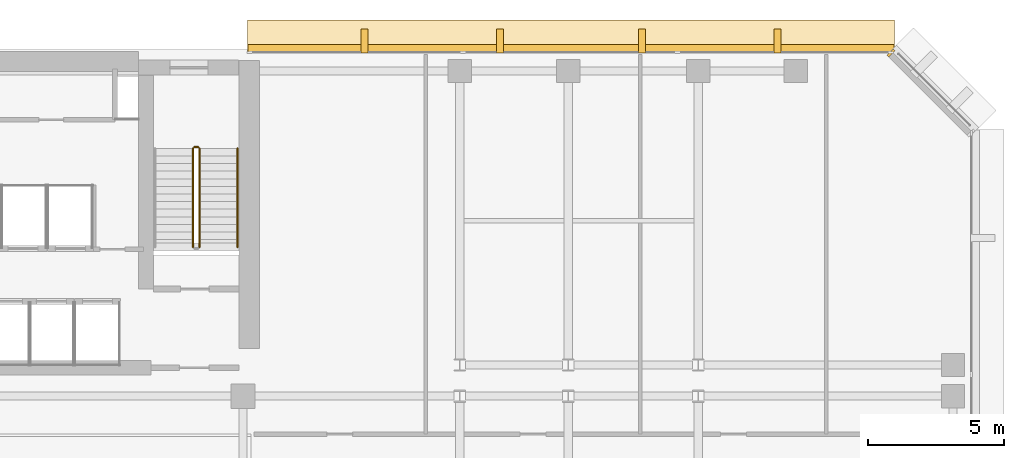
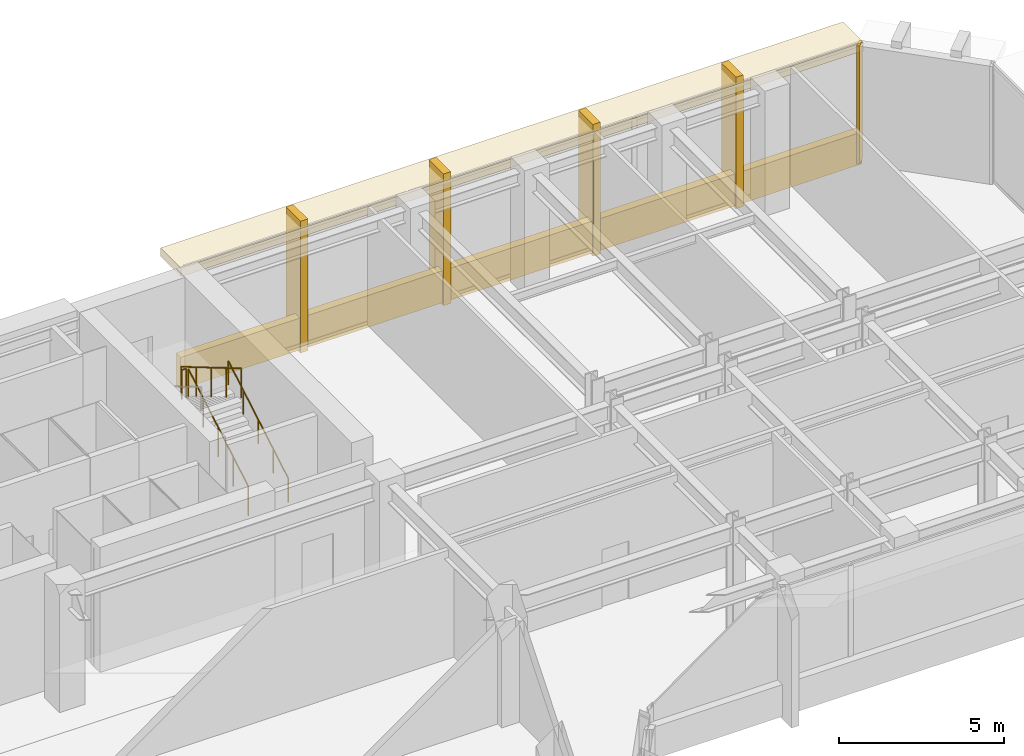
# One storey, part 12 of 13: 7 coverings, 4 railings.
"""IFC4 building model written with IfcOpenShell, lengths in metres."""

from ifc_helpers import new_model, si_unit, direction, frame, origin, origin_2d, place, context, subcontext, project, spatial, rectangle, circle, extrude, material, layer, layer_set, type_object, element, save


model = new_model("IFC4")

# Units and contexts
model_context = context("Model", 3, precision=1e-05, world=origin(), true_north=direction((0.0, 1.0)))
body_context = subcontext(model_context, "Body", "Model", "MODEL_VIEW")
ifc_project = project(units=[si_unit("LENGTHUNIT", "METRE"), si_unit("AREAUNIT", "SQUARE_METRE"), si_unit("VOLUMEUNIT", "CUBIC_METRE"), si_unit("PLANEANGLEUNIT", "RADIAN"), si_unit("MASSUNIT", "GRAM", prefix="KILO")], contexts=[model_context])

# Site, building, storey
site_placement = place(None, origin())
site = spatial("IfcSite", under=ifc_project, at=site_placement, CompositionType="ELEMENT")
building_placement = place(site_placement, origin())
building = spatial("IfcBuilding", under=site, at=building_placement, Name="Kefirva Bronze Tower", CompositionType="ELEMENT")
storey_placement = place(building_placement, frame((0.0, 0.0, 130.35009765625)))
storey = spatial("IfcBuildingStorey", under=building, at=storey_placement, Name="L31", CompositionType="ELEMENT", Elevation=130.35009765625)

# Coverings
ifc_material_1 = material(Name="Bronze anodised aluminium", Category="aluminium")
ifc_layer_1 = layer(ifc_material_1, 0.02001953125, Name="Bronze anodised aluminium")
ifc_layer_set_1 = layer_set([ifc_layer_1], Name="Bronze anodised aluminium")
covering_type_1 = type_object("IfcCoveringType", Name="Anodised Bronze Spandrel Cladding 20mm", PredefinedType="CLADDING", material=ifc_layer_set_1)
covering_1_placement = place(storey_placement, frame((47.11181640625, 45.862060546875, -0.000244140625), z_axis=(0.0, 0.0, 1.0), x_axis=(-0.707106781187, 0.707106781187, 0.0)))
element("IfcCovering", 1, at=covering_1_placement, inside=storey, type_object=covering_type_1, Name="L31 Facade Joint Closure Panel 7E", PredefinedType="CLADDING", context=body_context, shape_type="SweptSolid", body=[
    extrude(rectangle(XDim=0.10009765625, YDim=0.320068359375, at=origin_2d()), origin(), (0.0, 0.0, 1.0), 4.3701171875),
])
covering_2_placement = place(storey_placement, frame((35.302490234375, 46.0400390625, -0.16015625), z_axis=(0.0, 0.0, 1.0), x_axis=(-1.0, 0.0, 0.0)))
element("IfcCovering", 2, at=covering_2_placement, inside=storey, type_object=covering_type_1, Name="L31 Streamline Horizontal Spandrel Band 12", PredefinedType="CLADDING", context=body_context, shape_type="SweptSolid", body=[
    extrude(rectangle(XDim=23.8349609375, YDim=0.280029296875, at=origin_2d()), origin(), (0.0, 0.0, 1.0), 1.179931640625),
])

# Railings
ifc_material_2 = material(Name="Stainless steel 316", Category="steel")
railing_type_1 = type_object("IfcRailingType", Name="Interior Stair Guardrail 1100mm", PredefinedType="GUARDRAIL", material=ifc_material_2)
railing_1_placement = place(storey_placement, frame((21.60009765625, 38.699951171875, 0.164794921875)))
element("IfcRailing", 3, at=railing_1_placement, inside=storey, type_object=railing_type_1, Name="L31 ST-2 stair guard 1", PredefinedType="GUARDRAIL", context=body_context, shape_type="SweptSolid", body=[
    extrude(circle(Radius=0.02392578125, at=origin_2d()), frame((0.0, 0.0, 1.076171875), z_axis=(0.0, 0.861544779993, 0.507681585313), x_axis=(-1.0, 0.0, 0.0)), (0.0, 0.0, 1.0), 4.22509765625),
    extrude(circle(Radius=0.02099609375, at=origin_2d()), origin(), (0.0, 0.0, 1.0), 1.052001953125),
    extrude(circle(Radius=0.02099609375, at=origin_2d()), frame((0.0, 0.91015625, 0.5361328125)), (0.0, 0.0, 1.0), 1.052001953125),
    extrude(circle(Radius=0.02099609375, at=origin_2d()), frame((0.0, 1.820068359375, 1.072509765625)), (0.0, 0.0, 1.0), 1.052001953125),
    extrude(circle(Radius=0.02099609375, at=origin_2d()), frame((0.0, 2.72998046875, 1.60888671875)), (0.0, 0.0, 1.0), 1.052001953125),
    extrude(circle(Radius=0.02099609375, at=origin_2d()), frame((0.0, 3.64013671875, 2.14501953125)), (0.0, 0.0, 1.0), 1.052001953125),
])
railing_2_placement = place(storey_placement, frame((21.550048828125, 42.389892578125, 2.309814453125)))
element("IfcRailing", 4, at=railing_2_placement, inside=storey, type_object=railing_type_1, Name="L31 ST-2 stair guard 2", PredefinedType="GUARDRAIL", context=body_context, shape_type="SweptSolid", body=[
    extrude(circle(Radius=0.02392578125, at=origin_2d()), frame((0.0, 0.0, 1.076171875), z_axis=(-1.0, 0.0, 0.0), x_axis=(0.0, -1.0, 0.0)), (0.0, 0.0, 1.0), 0.150146484375),
    extrude(circle(Radius=0.02099609375, at=origin_2d()), origin(), (0.0, 0.0, 1.0), 1.052001953125),
    extrude(circle(Radius=0.02099609375, at=origin_2d()), frame((-0.150146484375, 0.0, 0.0)), (0.0, 0.0, 1.0), 1.052001953125),
])
railing_3_placement = place(storey_placement, frame((21.35009765625, 42.340087890625, 2.474853515625)))
element("IfcRailing", 5, at=railing_3_placement, inside=storey, type_object=railing_type_1, Name="L31 ST-2 stair guard 3", PredefinedType="GUARDRAIL", context=body_context, shape_type="SweptSolid", body=[
    extrude(circle(Radius=0.02392578125, at=origin_2d()), frame((0.0, 0.0, 1.076171875), z_axis=(0.0, -0.861544779993, 0.507681585313), x_axis=(1.0, 0.0, 0.0)), (0.0, 0.0, 1.0), 4.22509765625),
    extrude(circle(Radius=0.02099609375, at=origin_2d()), origin(), (0.0, 0.0, 1.0), 1.052001953125),
    extrude(circle(Radius=0.02099609375, at=origin_2d()), frame((0.0, -0.91015625, 0.5361328125)), (0.0, 0.0, 1.0), 1.052001953125),
    extrude(circle(Radius=0.02099609375, at=origin_2d()), frame((0.0, -1.820068359375, 1.072509765625)), (0.0, 0.0, 1.0), 1.052001953125),
    extrude(circle(Radius=0.02099609375, at=origin_2d()), frame((0.0, -2.72998046875, 1.60888671875)), (0.0, 0.0, 1.0), 1.052001953125),
    extrude(circle(Radius=0.02099609375, at=origin_2d()), frame((0.0, -3.64013671875, 2.14501953125)), (0.0, 0.0, 1.0), 1.052001953125),
])
railing_type_2 = type_object("IfcRailingType", Name="Stair Pitch Handrail 900mm", PredefinedType="HANDRAIL", material=ifc_material_2)
railing_4_placement = place(storey_placement, frame((23.0, 38.699951171875, 0.164794921875)))
element("IfcRailing", 6, at=railing_4_placement, inside=storey, type_object=railing_type_2, Name="L31 ST-2 stair handrail 1", PredefinedType="HANDRAIL", context=body_context, shape_type="SweptSolid", body=[
    extrude(circle(Radius=0.02392578125, at=origin_2d()), frame((0.0, 0.0, 0.8759765625), z_axis=(0.0, 0.861544779993, 0.507681585313), x_axis=(-1.0, 0.0, 0.0)), (0.0, 0.0, 1.0), 4.22509765625),
    extrude(circle(Radius=0.02099609375, at=origin_2d()), origin(), (0.0, 0.0, 1.0), 0.851806640625),
    extrude(circle(Radius=0.02099609375, at=origin_2d()), frame((0.0, 0.91015625, 0.5361328125)), (0.0, 0.0, 1.0), 0.851806640625),
    extrude(circle(Radius=0.02099609375, at=origin_2d()), frame((0.0, 1.820068359375, 1.072509765625)), (0.0, 0.0, 1.0), 0.851806640625),
    extrude(circle(Radius=0.02099609375, at=origin_2d()), frame((0.0, 2.72998046875, 1.60888671875)), (0.0, 0.0, 1.0), 0.851806640625),
    extrude(circle(Radius=0.02099609375, at=origin_2d()), frame((0.0, 3.64013671875, 2.14501953125)), (0.0, 0.0, 1.0), 0.851806640625),
])

# Coverings
ifc_layer_2 = layer(ifc_material_1, 0.179931640625, Name="Bronze anodised aluminium")
ifc_layer_set_2 = layer_set([ifc_layer_2], Name="Bronze anodised aluminium")
covering_type_2 = type_object("IfcCoveringType", Name="Streamline Bronze Sunshade Eyebrow Cladding 180mm", PredefinedType="CLADDING", material=ifc_layer_set_2)
covering_3_placement = place(storey_placement, frame((35.302490234375, 46.4599609375, 4.0498046875), z_axis=(0.0, 0.0, 1.0), x_axis=(-1.0, 0.0, 0.0)))
element("IfcCovering", 7, at=covering_3_placement, inside=storey, type_object=covering_type_2, Name="L31 Streamline Bronze Sunshade Eyebrow 12", PredefinedType="CLADDING", context=body_context, shape_type="SweptSolid", body=[
    extrude(rectangle(XDim=23.875, YDim=1.239990234375, at=origin_2d()), origin(), (0.0, 0.0, 1.0), 0.320068359375),
])
ifc_layer_3 = layer(ifc_material_1, 0.260009765625, Name="Bronze anodised aluminium")
ifc_layer_set_3 = layer_set([ifc_layer_3], Name="Bronze anodised aluminium")
covering_type_3 = type_object("IfcCoveringType", Name="Unbroken Bronze Buttress Fin Cladding 260mm", PredefinedType="CLADDING", material=ifc_layer_set_3)
for number, where, z_axis, x_axis, name in (
    (8, (42.9169921875, 46.300048828125, -0.250244140625), (0.0, 0.0, 1.0), (-1.0, 0.0, 0.0), "L31 Unbroken Vertical Bronze Rib Fin 17"),
    (9, (37.919921875, 46.300048828125, -0.250244140625), (0.0, 0.0, 1.0), (-1.0, 0.0, 0.0), "L31 Unbroken Vertical Bronze Rib Fin 18"),
    (10, (32.68505859375, 46.300048828125, -0.250244140625), (0.0, 0.0, 1.0), (-1.0, 0.0, 0.0), "L31 Unbroken Vertical Bronze Rib Fin 19"),
    (11, (27.68798828125, 46.300048828125, -0.250244140625), (0.0, 0.0, 1.0), (-1.0, 0.0, 0.0), "L31 Unbroken Vertical Bronze Rib Fin 20"),
):
    element("IfcCovering", number, at=place(storey_placement, frame(where, z_axis=z_axis, x_axis=x_axis)), inside=storey, type_object=covering_type_3, Name=name, PredefinedType="CLADDING", context=body_context, shape_type="SweptSolid", body=[
        extrude(rectangle(XDim=0.260009765625, YDim=0.8798828125, at=origin_2d()), origin(), (0.0, 0.0, 1.0), 4.8701171875),
    ])

save(model, "model.ifc")
